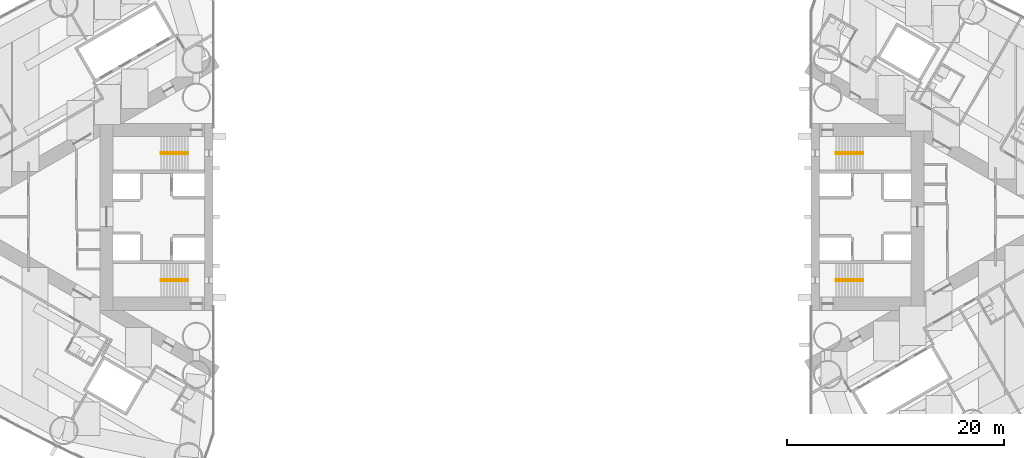
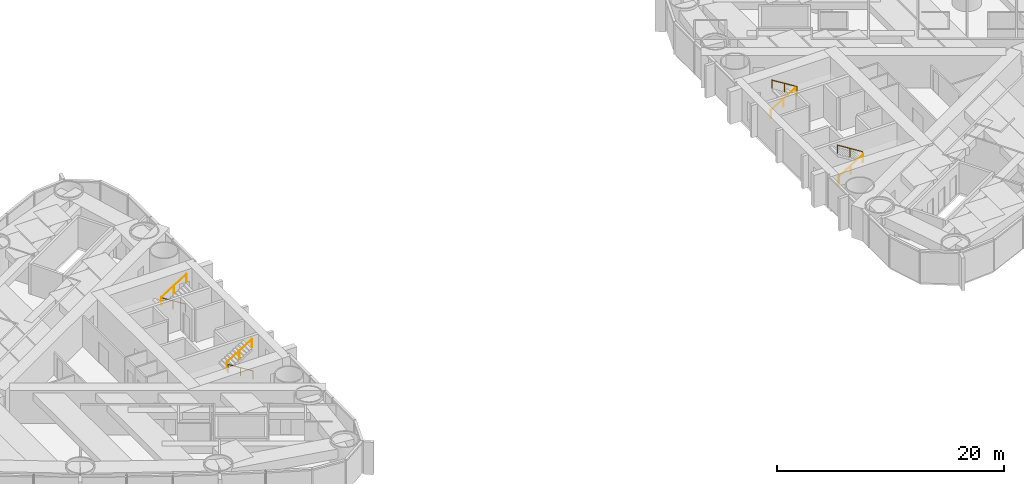
# One storey, part 17 of 18: 8 railings.
"""IFC4 building model written with IfcOpenShell, lengths in metres."""

from ifc_helpers import new_model, si_unit, direction, frame, origin, origin_2d, place, context, subcontext, project, spatial, circle, extrude, material, type_object, element, save


model = new_model("IFC4")

# Units and contexts
model_context = context("Model", 3, precision=1e-05, world=origin(), true_north=direction((0.0, 1.0)))
body_context = subcontext(model_context, "Body", "Model", "MODEL_VIEW")
ifc_project = project(units=[si_unit("LENGTHUNIT", "METRE"), si_unit("AREAUNIT", "SQUARE_METRE"), si_unit("VOLUMEUNIT", "CUBIC_METRE"), si_unit("PLANEANGLEUNIT", "RADIAN"), si_unit("MASSUNIT", "GRAM", prefix="KILO")], contexts=[model_context])

# Site, building, storey
site_placement = place(None, origin())
site = spatial("IfcSite", under=ifc_project, at=site_placement, CompositionType="ELEMENT")
building_placement = place(site_placement, origin())
building = spatial("IfcBuilding", under=site, at=building_placement, Name="Lancet Gate Hotel", CompositionType="ELEMENT")
storey_placement = place(building_placement, frame((0.0, 0.0, 115.10009765625)))
storey = spatial("IfcBuildingStorey", under=building, at=storey_placement, Name="L30", CompositionType="ELEMENT", Elevation=115.10009765625)

# Railings
ifc_material = material(Name="Stainless steel handrail", Category="steel")
railing_type = type_object("IfcRailingType", Name="Stair handrail 900", PredefinedType="HANDRAIL", material=ifc_material)
railing_1_placement = place(storey_placement, frame((-29.800048828125, 5.929931640625, 0.1748046875)))
element("IfcRailing", 1, at=railing_1_placement, inside=storey, type_object=railing_type, Name="ST1 handrail flight 1 L30", PredefinedType="HANDRAIL", context=body_context, shape_type="SweptSolid", body=[
    extrude(circle(Radius=0.02392578125, at=origin_2d()), frame((0.0, 0.0, 0.8759765625), z_axis=(-0.847970611238, 0.0, 0.530043245855), x_axis=(0.0, -1.0, 0.0)), (0.0, 0.0, 1.0), 2.971923828125),
    extrude(circle(Radius=0.02099609375, at=origin_2d()), origin(), (0.0, 0.0, 1.0), 0.851806640625),
    extrude(circle(Radius=0.02099609375, at=origin_2d()), frame((-1.260009765625, 0.0, 0.78759765625)), (0.0, 0.0, 1.0), 0.851806640625),
    extrude(circle(Radius=0.02099609375, at=origin_2d()), frame((-2.52001953125, 0.0, 1.5751953125)), (0.0, 0.0, 1.0), 0.851806640625),
])
railing_2_placement = place(storey_placement, frame((-32.320068359375, 5.77001953125, 1.9248046875)))
element("IfcRailing", 2, at=railing_2_placement, inside=storey, type_object=railing_type, Name="ST1 handrail flight 2 L30", PredefinedType="HANDRAIL", context=body_context, shape_type="SweptSolid", body=[
    extrude(circle(Radius=0.02392578125, at=origin_2d()), frame((0.0, 0.0, 0.8759765625), z_axis=(0.847970611238, 0.0, 0.530043245855), x_axis=(0.0, 1.0, 0.0)), (0.0, 0.0, 1.0), 2.971923828125),
    extrude(circle(Radius=0.02099609375, at=origin_2d()), origin(), (0.0, 0.0, 1.0), 0.851806640625),
    extrude(circle(Radius=0.02099609375, at=origin_2d()), frame((1.260009765625, 0.0, 0.78759765625)), (0.0, 0.0, 1.0), 0.851806640625),
    extrude(circle(Radius=0.02099609375, at=origin_2d()), frame((2.52001953125, 0.0, 1.5751953125)), (0.0, 0.0, 1.0), 0.851806640625),
])
railing_3_placement = place(storey_placement, frame((-29.800048828125, -5.929931640625, 0.1748046875)))
element("IfcRailing", 3, at=railing_3_placement, inside=storey, type_object=railing_type, Name="ST2 handrail flight 1 L30", PredefinedType="HANDRAIL", context=body_context, shape_type="SweptSolid", body=[
    extrude(circle(Radius=0.02392578125, at=origin_2d()), frame((0.0, 0.0, 0.8759765625), z_axis=(-0.847970611238, 0.0, 0.530043245855), x_axis=(0.0, -1.0, 0.0)), (0.0, 0.0, 1.0), 2.971923828125),
    extrude(circle(Radius=0.02099609375, at=origin_2d()), origin(), (0.0, 0.0, 1.0), 0.851806640625),
    extrude(circle(Radius=0.02099609375, at=origin_2d()), frame((-1.260009765625, 0.0, 0.78759765625)), (0.0, 0.0, 1.0), 0.851806640625),
    extrude(circle(Radius=0.02099609375, at=origin_2d()), frame((-2.52001953125, 0.0, 1.5751953125)), (0.0, 0.0, 1.0), 0.851806640625),
])
for number, where, name in (
    (4, (-32.320068359375, -5.77001953125, 1.9248046875), "ST2 handrail flight 2 L30"),
    (5, (29.800048828125, -5.929931640625, 0.1748046875), "ST3 handrail flight 1 L30"),
):
    element("IfcRailing", number, at=place(storey_placement, frame(where)), inside=storey, type_object=railing_type, Name=name, PredefinedType="HANDRAIL", context=body_context, shape_type="SweptSolid", body=[
        extrude(circle(Radius=0.02392578125, at=origin_2d()), frame((0.0, 0.0, 0.8759765625), z_axis=(0.847970611238, 0.0, 0.530043245855), x_axis=(0.0, 1.0, 0.0)), (0.0, 0.0, 1.0), 2.971923828125),
        extrude(circle(Radius=0.02099609375, at=origin_2d()), origin(), (0.0, 0.0, 1.0), 0.851806640625),
        extrude(circle(Radius=0.02099609375, at=origin_2d()), frame((1.260009765625, 0.0, 0.78759765625)), (0.0, 0.0, 1.0), 0.851806640625),
        extrude(circle(Radius=0.02099609375, at=origin_2d()), frame((2.52001953125, 0.0, 1.5751953125)), (0.0, 0.0, 1.0), 0.851806640625),
    ])
railing_4_placement = place(storey_placement, frame((32.320068359375, -5.77001953125, 1.9248046875)))
element("IfcRailing", 6, at=railing_4_placement, inside=storey, type_object=railing_type, Name="ST3 handrail flight 2 L30", PredefinedType="HANDRAIL", context=body_context, shape_type="SweptSolid", body=[
    extrude(circle(Radius=0.02392578125, at=origin_2d()), frame((0.0, 0.0, 0.8759765625), z_axis=(-0.847970611238, 0.0, 0.530043245855), x_axis=(0.0, -1.0, 0.0)), (0.0, 0.0, 1.0), 2.971923828125),
    extrude(circle(Radius=0.02099609375, at=origin_2d()), origin(), (0.0, 0.0, 1.0), 0.851806640625),
    extrude(circle(Radius=0.02099609375, at=origin_2d()), frame((-1.260009765625, 0.0, 0.78759765625)), (0.0, 0.0, 1.0), 0.851806640625),
    extrude(circle(Radius=0.02099609375, at=origin_2d()), frame((-2.52001953125, 0.0, 1.5751953125)), (0.0, 0.0, 1.0), 0.851806640625),
])
railing_5_placement = place(storey_placement, frame((29.800048828125, 5.929931640625, 0.1748046875)))
element("IfcRailing", 7, at=railing_5_placement, inside=storey, type_object=railing_type, Name="ST4 handrail flight 1 L30", PredefinedType="HANDRAIL", context=body_context, shape_type="SweptSolid", body=[
    extrude(circle(Radius=0.02392578125, at=origin_2d()), frame((0.0, 0.0, 0.8759765625), z_axis=(0.847970611238, 0.0, 0.530043245855), x_axis=(0.0, 1.0, 0.0)), (0.0, 0.0, 1.0), 2.971923828125),
    extrude(circle(Radius=0.02099609375, at=origin_2d()), origin(), (0.0, 0.0, 1.0), 0.851806640625),
    extrude(circle(Radius=0.02099609375, at=origin_2d()), frame((1.260009765625, 0.0, 0.78759765625)), (0.0, 0.0, 1.0), 0.851806640625),
    extrude(circle(Radius=0.02099609375, at=origin_2d()), frame((2.52001953125, 0.0, 1.5751953125)), (0.0, 0.0, 1.0), 0.851806640625),
])
railing_6_placement = place(storey_placement, frame((32.320068359375, 5.77001953125, 1.9248046875)))
element("IfcRailing", 8, at=railing_6_placement, inside=storey, type_object=railing_type, Name="ST4 handrail flight 2 L30", PredefinedType="HANDRAIL", context=body_context, shape_type="SweptSolid", body=[
    extrude(circle(Radius=0.02392578125, at=origin_2d()), frame((0.0, 0.0, 0.8759765625), z_axis=(-0.847970611238, 0.0, 0.530043245855), x_axis=(0.0, -1.0, 0.0)), (0.0, 0.0, 1.0), 2.971923828125),
    extrude(circle(Radius=0.02099609375, at=origin_2d()), origin(), (0.0, 0.0, 1.0), 0.851806640625),
    extrude(circle(Radius=0.02099609375, at=origin_2d()), frame((-1.260009765625, 0.0, 0.78759765625)), (0.0, 0.0, 1.0), 0.851806640625),
    extrude(circle(Radius=0.02099609375, at=origin_2d()), frame((-2.52001953125, 0.0, 1.5751953125)), (0.0, 0.0, 1.0), 0.851806640625),
])

save(model, "model.ifc")
